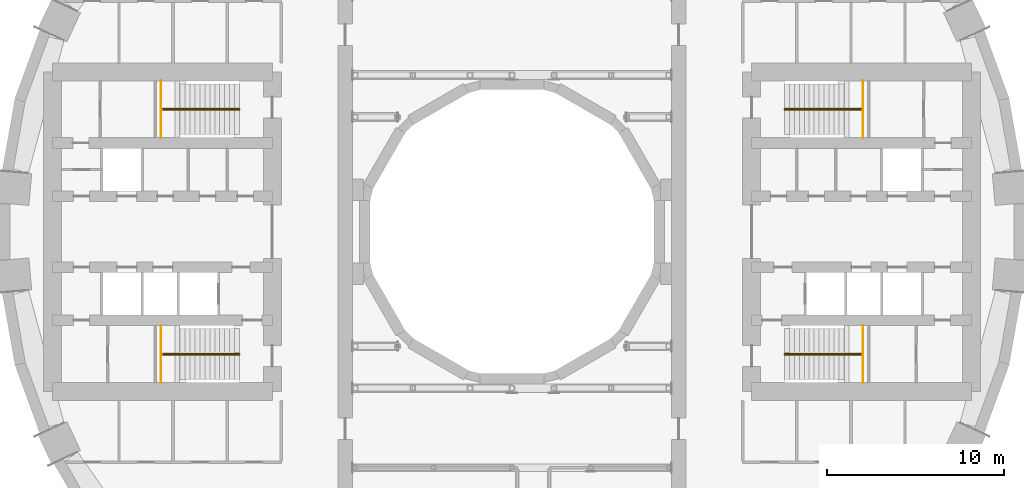
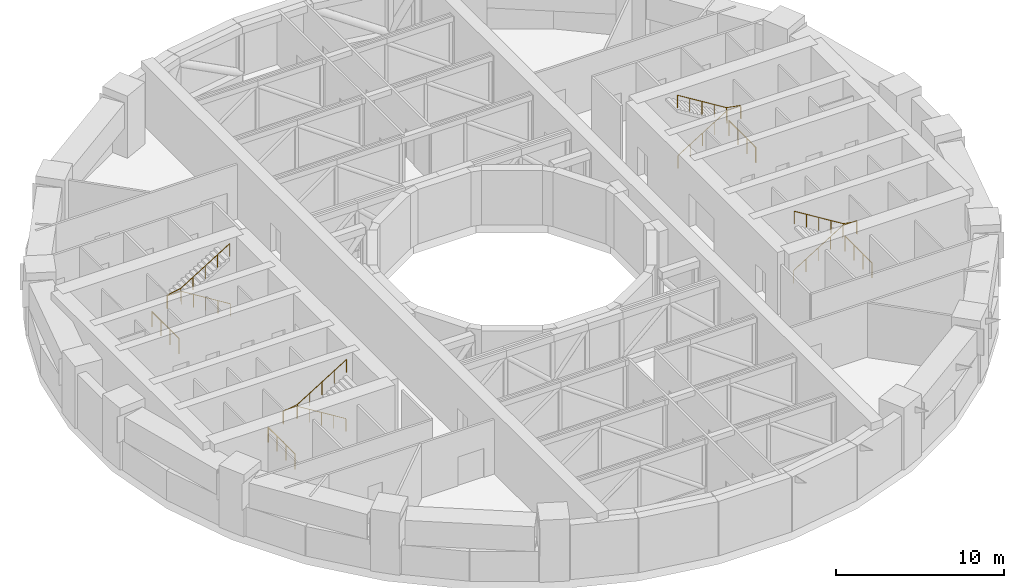
# One storey, part 21 of 21: 8 railings.
"""IFC4 building model written with IfcOpenShell, lengths in metres."""

from ifc_helpers import new_model, si_unit, direction, frame, origin, origin_2d, place, context, subcontext, project, spatial, circle, extrude, material, type_object, element, save


model = new_model("IFC4")

# Units and contexts
model_context = context("Model", 3, precision=1e-05, world=origin(), true_north=direction((0.0, 1.0)))
body_context = subcontext(model_context, "Body", "Model", "MODEL_VIEW")
ifc_project = project(units=[si_unit("LENGTHUNIT", "METRE"), si_unit("AREAUNIT", "SQUARE_METRE"), si_unit("VOLUMEUNIT", "CUBIC_METRE"), si_unit("PLANEANGLEUNIT", "RADIAN"), si_unit("MASSUNIT", "GRAM", prefix="KILO")], contexts=[model_context])

# Site, building, storey
site_placement = place(None, origin())
site = spatial("IfcSite", under=ifc_project, at=site_placement, CompositionType="ELEMENT")
building_placement = place(site_placement, origin())
building = spatial("IfcBuilding", under=site, at=building_placement, Name="Saqina Gate Tower", CompositionType="ELEMENT")
storey_placement = place(building_placement, frame((0.0, 0.0, 21.800048828125)))
storey = spatial("IfcBuildingStorey", under=building, at=storey_placement, Name="L05", CompositionType="ELEMENT", Elevation=21.800048828125)

# Railings
ifc_material_1 = material(Name="Stainless steel", Category="steel")
railing_type_1 = type_object("IfcRailingType", Name="STAIR GUARD", PredefinedType="GUARDRAIL", material=ifc_material_1)
railing_1_placement = place(storey_placement, frame((19.780029296875, 5.300048828125, 0.0)))
element("IfcRailing", 1, at=railing_1_placement, inside=storey, type_object=railing_type_1, Name="STAIR GUARD", PredefinedType="GUARDRAIL", context=body_context, shape_type="SweptSolid", body=[
    extrude(circle(Radius=0.02392578125, at=origin_2d()), frame((0.0, 0.0, 1.076171875), z_axis=(0.0, 1.0, 0.0), x_axis=(-1.0, 0.0, 0.0)), (0.0, 0.0, 1.0), 3.199951171875),
    extrude(circle(Radius=0.02099609375, at=origin_2d()), origin(), (0.0, 0.0, 1.0), 1.052001953125),
    extrude(circle(Radius=0.02099609375, at=origin_2d()), frame((0.0, 1.066650390625, 0.0)), (0.0, 0.0, 1.0), 1.052001953125),
    extrude(circle(Radius=0.02099609375, at=origin_2d()), frame((0.0, 2.13330078125, 0.0)), (0.0, 0.0, 1.0), 1.052001953125),
    extrude(circle(Radius=0.02099609375, at=origin_2d()), frame((0.0, 3.199951171875, 0.0)), (0.0, 0.0, 1.0), 1.052001953125),
])
railing_2_placement = place(storey_placement, frame((19.780029296875, -5.300048828125, 0.0)))
element("IfcRailing", 2, at=railing_2_placement, inside=storey, type_object=railing_type_1, Name="STAIR GUARD", PredefinedType="GUARDRAIL", context=body_context, shape_type="SweptSolid", body=[
    extrude(circle(Radius=0.02392578125, at=origin_2d()), frame((0.0, 0.0, 1.076171875), z_axis=(0.0, -1.0, 0.0), x_axis=(1.0, 0.0, 0.0)), (0.0, 0.0, 1.0), 3.199951171875),
    extrude(circle(Radius=0.02099609375, at=origin_2d()), origin(), (0.0, 0.0, 1.0), 1.052001953125),
    extrude(circle(Radius=0.02099609375, at=origin_2d()), frame((0.0, -1.066650390625, 0.0)), (0.0, 0.0, 1.0), 1.052001953125),
    extrude(circle(Radius=0.02099609375, at=origin_2d()), frame((0.0, -2.13330078125, 0.0)), (0.0, 0.0, 1.0), 1.052001953125),
    extrude(circle(Radius=0.02099609375, at=origin_2d()), frame((0.0, -3.199951171875, 0.0)), (0.0, 0.0, 1.0), 1.052001953125),
])
railing_3_placement = place(storey_placement, frame((-19.780029296875, 5.300048828125, 0.0)))
element("IfcRailing", 3, at=railing_3_placement, inside=storey, type_object=railing_type_1, Name="STAIR GUARD", PredefinedType="GUARDRAIL", context=body_context, shape_type="SweptSolid", body=[
    extrude(circle(Radius=0.02392578125, at=origin_2d()), frame((0.0, 0.0, 1.076171875), z_axis=(0.0, 1.0, 0.0), x_axis=(-1.0, 0.0, 0.0)), (0.0, 0.0, 1.0), 3.199951171875),
    extrude(circle(Radius=0.02099609375, at=origin_2d()), origin(), (0.0, 0.0, 1.0), 1.052001953125),
    extrude(circle(Radius=0.02099609375, at=origin_2d()), frame((0.0, 1.066650390625, 0.0)), (0.0, 0.0, 1.0), 1.052001953125),
    extrude(circle(Radius=0.02099609375, at=origin_2d()), frame((0.0, 2.13330078125, 0.0)), (0.0, 0.0, 1.0), 1.052001953125),
    extrude(circle(Radius=0.02099609375, at=origin_2d()), frame((0.0, 3.199951171875, 0.0)), (0.0, 0.0, 1.0), 1.052001953125),
])
railing_4_placement = place(storey_placement, frame((-19.780029296875, -5.300048828125, 0.0)))
element("IfcRailing", 4, at=railing_4_placement, inside=storey, type_object=railing_type_1, Name="STAIR GUARD", PredefinedType="GUARDRAIL", context=body_context, shape_type="SweptSolid", body=[
    extrude(circle(Radius=0.02392578125, at=origin_2d()), frame((0.0, 0.0, 1.076171875), z_axis=(0.0, -1.0, 0.0), x_axis=(1.0, 0.0, 0.0)), (0.0, 0.0, 1.0), 3.199951171875),
    extrude(circle(Radius=0.02099609375, at=origin_2d()), origin(), (0.0, 0.0, 1.0), 1.052001953125),
    extrude(circle(Radius=0.02099609375, at=origin_2d()), frame((0.0, -1.066650390625, 0.0)), (0.0, 0.0, 1.0), 1.052001953125),
    extrude(circle(Radius=0.02099609375, at=origin_2d()), frame((0.0, -2.13330078125, 0.0)), (0.0, 0.0, 1.0), 1.052001953125),
    extrude(circle(Radius=0.02099609375, at=origin_2d()), frame((0.0, -3.199951171875, 0.0)), (0.0, 0.0, 1.0), 1.052001953125),
])
ifc_material_2 = material(Name="Stainless steel", Category="steel")
railing_type_2 = type_object("IfcRailingType", Name="STAIR HANDRAIL", PredefinedType="HANDRAIL", material=ifc_material_2)
railing_5_placement = place(storey_placement, frame((15.35009765625, 6.86669921875, 0.173095703125)))
element("IfcRailing", 5, at=railing_5_placement, inside=storey, type_object=railing_type_2, Name="EXIT STAIR 1 HANDRAIL", PredefinedType="HANDRAIL", context=body_context, shape_type="SweptSolid", body=[
    extrude(circle(Radius=0.02392578125, at=origin_2d()), frame((0.0, 0.0, 0.92578125), z_axis=(0.850606129759, 0.0, 0.525803396734), x_axis=(0.0, 1.0, 0.0)), (0.0, 0.0, 1.0), 3.949951171875),
    extrude(circle(Radius=0.02392578125, at=origin_2d()), frame((3.35986328125, 0.0, 3.0029296875), z_axis=(1.0, 0.0, 0.0), x_axis=(0.0, 1.0, 0.0)), (0.0, 0.0, 1.0), 0.949951171875),
    extrude(circle(Radius=0.02392578125, at=origin_2d()), frame((4.309814453125, 0.0, 3.0029296875), z_axis=(0.0, 1.0, 0.0), x_axis=(-1.0, 0.0, 0.0)), (0.0, 0.0, 1.0), 0.066650390625),
    extrude(circle(Radius=0.02392578125, at=origin_2d()), frame((4.309814453125, 0.066650390625, 3.0029296875), z_axis=(-0.983801064867, 0.0, 0.17926367386), x_axis=(0.0, -1.0, 0.0)), (0.0, 0.0, 1.0), 0.965576171875),
    extrude(circle(Radius=0.02392578125, at=origin_2d()), frame((3.35986328125, 0.066650390625, 3.17578125), z_axis=(-0.850606129759, 0.0, 0.525803396734), x_axis=(0.0, -1.0, 0.0)), (0.0, 0.0, 1.0), 3.949951171875),
    extrude(circle(Radius=0.02099609375, at=origin_2d()), origin(), (0.0, 0.0, 1.0), 0.90185546875),
    extrude(circle(Radius=0.02099609375, at=origin_2d()), frame((0.83984375, 0.0, 0.519287109375)), (0.0, 0.0, 1.0), 0.90185546875),
    extrude(circle(Radius=0.02099609375, at=origin_2d()), frame((1.679931640625, 0.0, 1.03857421875)), (0.0, 0.0, 1.0), 0.90185546875),
    extrude(circle(Radius=0.02099609375, at=origin_2d()), frame((2.52001953125, 0.0, 1.5576171875)), (0.0, 0.0, 1.0), 0.90185546875),
    extrude(circle(Radius=0.02099609375, at=origin_2d()), frame((3.35986328125, 0.0, 2.076904296875)), (0.0, 0.0, 1.0), 0.90185546875),
    extrude(circle(Radius=0.02099609375, at=origin_2d()), frame((4.309814453125, 0.0, 2.076904296875)), (0.0, 0.0, 1.0), 0.90185546875),
    extrude(circle(Radius=0.02099609375, at=origin_2d()), frame((4.309814453125, 0.066650390625, 2.076904296875)), (0.0, 0.0, 1.0), 0.90185546875),
    extrude(circle(Radius=0.02099609375, at=origin_2d()), frame((3.35986328125, 0.066650390625, 2.25)), (0.0, 0.0, 1.0), 0.90185546875),
    extrude(circle(Radius=0.02099609375, at=origin_2d()), frame((2.52001953125, 0.066650390625, 2.769287109375)), (0.0, 0.0, 1.0), 0.90185546875),
    extrude(circle(Radius=0.02099609375, at=origin_2d()), frame((1.679931640625, 0.066650390625, 3.28857421875)), (0.0, 0.0, 1.0), 0.90185546875),
    extrude(circle(Radius=0.02099609375, at=origin_2d()), frame((0.83984375, 0.066650390625, 3.8076171875)), (0.0, 0.0, 1.0), 0.90185546875),
    extrude(circle(Radius=0.02099609375, at=origin_2d()), frame((0.0, 0.066650390625, 4.326904296875)), (0.0, 0.0, 1.0), 0.90185546875),
])
railing_6_placement = place(storey_placement, frame((15.35009765625, -6.86669921875, 0.173095703125)))
element("IfcRailing", 6, at=railing_6_placement, inside=storey, type_object=railing_type_2, Name="EXIT STAIR 2 HANDRAIL", PredefinedType="HANDRAIL", context=body_context, shape_type="SweptSolid", body=[
    extrude(circle(Radius=0.02392578125, at=origin_2d()), frame((0.0, 0.0, 0.92578125), z_axis=(0.850606129759, 0.0, 0.525803396734), x_axis=(0.0, 1.0, 0.0)), (0.0, 0.0, 1.0), 3.949951171875),
    extrude(circle(Radius=0.02392578125, at=origin_2d()), frame((3.35986328125, 0.0, 3.0029296875), z_axis=(1.0, 0.0, 0.0), x_axis=(0.0, 1.0, 0.0)), (0.0, 0.0, 1.0), 0.949951171875),
    extrude(circle(Radius=0.02392578125, at=origin_2d()), frame((4.309814453125, 0.0, 3.0029296875), z_axis=(0.0, -1.0, 0.0), x_axis=(1.0, 0.0, 0.0)), (0.0, 0.0, 1.0), 0.066650390625),
    extrude(circle(Radius=0.02392578125, at=origin_2d()), frame((4.309814453125, -0.066650390625, 3.0029296875), z_axis=(-0.983801064867, 0.0, 0.17926367386), x_axis=(0.0, -1.0, 0.0)), (0.0, 0.0, 1.0), 0.965576171875),
    extrude(circle(Radius=0.02392578125, at=origin_2d()), frame((3.35986328125, -0.066650390625, 3.17578125), z_axis=(-0.850606129759, 0.0, 0.525803396734), x_axis=(0.0, -1.0, 0.0)), (0.0, 0.0, 1.0), 3.949951171875),
    extrude(circle(Radius=0.02099609375, at=origin_2d()), origin(), (0.0, 0.0, 1.0), 0.90185546875),
    extrude(circle(Radius=0.02099609375, at=origin_2d()), frame((0.83984375, 0.0, 0.519287109375)), (0.0, 0.0, 1.0), 0.90185546875),
    extrude(circle(Radius=0.02099609375, at=origin_2d()), frame((1.679931640625, 0.0, 1.03857421875)), (0.0, 0.0, 1.0), 0.90185546875),
    extrude(circle(Radius=0.02099609375, at=origin_2d()), frame((2.52001953125, 0.0, 1.5576171875)), (0.0, 0.0, 1.0), 0.90185546875),
    extrude(circle(Radius=0.02099609375, at=origin_2d()), frame((3.35986328125, 0.0, 2.076904296875)), (0.0, 0.0, 1.0), 0.90185546875),
    extrude(circle(Radius=0.02099609375, at=origin_2d()), frame((4.309814453125, 0.0, 2.076904296875)), (0.0, 0.0, 1.0), 0.90185546875),
    extrude(circle(Radius=0.02099609375, at=origin_2d()), frame((4.309814453125, -0.066650390625, 2.076904296875)), (0.0, 0.0, 1.0), 0.90185546875),
    extrude(circle(Radius=0.02099609375, at=origin_2d()), frame((3.35986328125, -0.066650390625, 2.25)), (0.0, 0.0, 1.0), 0.90185546875),
    extrude(circle(Radius=0.02099609375, at=origin_2d()), frame((2.52001953125, -0.066650390625, 2.769287109375)), (0.0, 0.0, 1.0), 0.90185546875),
    extrude(circle(Radius=0.02099609375, at=origin_2d()), frame((1.679931640625, -0.066650390625, 3.28857421875)), (0.0, 0.0, 1.0), 0.90185546875),
    extrude(circle(Radius=0.02099609375, at=origin_2d()), frame((0.83984375, -0.066650390625, 3.8076171875)), (0.0, 0.0, 1.0), 0.90185546875),
    extrude(circle(Radius=0.02099609375, at=origin_2d()), frame((0.0, -0.066650390625, 4.326904296875)), (0.0, 0.0, 1.0), 0.90185546875),
])
railing_7_placement = place(storey_placement, frame((-15.35009765625, 6.86669921875, 0.173095703125)))
element("IfcRailing", 7, at=railing_7_placement, inside=storey, type_object=railing_type_2, Name="EXIT STAIR 3 HANDRAIL", PredefinedType="HANDRAIL", context=body_context, shape_type="SweptSolid", body=[
    extrude(circle(Radius=0.02392578125, at=origin_2d()), frame((0.0, 0.0, 0.92578125), z_axis=(-0.850606129759, 0.0, 0.525803396734), x_axis=(0.0, -1.0, 0.0)), (0.0, 0.0, 1.0), 3.949951171875),
    extrude(circle(Radius=0.02392578125, at=origin_2d()), frame((-3.35986328125, 0.0, 3.0029296875), z_axis=(-1.0, 0.0, 0.0), x_axis=(0.0, -1.0, 0.0)), (0.0, 0.0, 1.0), 0.949951171875),
    extrude(circle(Radius=0.02392578125, at=origin_2d()), frame((-4.309814453125, 0.0, 3.0029296875), z_axis=(0.0, 1.0, 0.0), x_axis=(-1.0, 0.0, 0.0)), (0.0, 0.0, 1.0), 0.066650390625),
    extrude(circle(Radius=0.02392578125, at=origin_2d()), frame((-4.309814453125, 0.066650390625, 3.0029296875), z_axis=(0.983801064867, 0.0, 0.17926367386), x_axis=(0.0, 1.0, 0.0)), (0.0, 0.0, 1.0), 0.965576171875),
    extrude(circle(Radius=0.02392578125, at=origin_2d()), frame((-3.35986328125, 0.066650390625, 3.17578125), z_axis=(0.850606129759, 0.0, 0.525803396734), x_axis=(0.0, 1.0, 0.0)), (0.0, 0.0, 1.0), 3.949951171875),
    extrude(circle(Radius=0.02099609375, at=origin_2d()), origin(), (0.0, 0.0, 1.0), 0.90185546875),
    extrude(circle(Radius=0.02099609375, at=origin_2d()), frame((-0.83984375, 0.0, 0.519287109375)), (0.0, 0.0, 1.0), 0.90185546875),
    extrude(circle(Radius=0.02099609375, at=origin_2d()), frame((-1.679931640625, 0.0, 1.03857421875)), (0.0, 0.0, 1.0), 0.90185546875),
    extrude(circle(Radius=0.02099609375, at=origin_2d()), frame((-2.52001953125, 0.0, 1.5576171875)), (0.0, 0.0, 1.0), 0.90185546875),
    extrude(circle(Radius=0.02099609375, at=origin_2d()), frame((-3.35986328125, 0.0, 2.076904296875)), (0.0, 0.0, 1.0), 0.90185546875),
    extrude(circle(Radius=0.02099609375, at=origin_2d()), frame((-4.309814453125, 0.0, 2.076904296875)), (0.0, 0.0, 1.0), 0.90185546875),
    extrude(circle(Radius=0.02099609375, at=origin_2d()), frame((-4.309814453125, 0.066650390625, 2.076904296875)), (0.0, 0.0, 1.0), 0.90185546875),
    extrude(circle(Radius=0.02099609375, at=origin_2d()), frame((-3.35986328125, 0.066650390625, 2.25)), (0.0, 0.0, 1.0), 0.90185546875),
    extrude(circle(Radius=0.02099609375, at=origin_2d()), frame((-2.52001953125, 0.066650390625, 2.769287109375)), (0.0, 0.0, 1.0), 0.90185546875),
    extrude(circle(Radius=0.02099609375, at=origin_2d()), frame((-1.679931640625, 0.066650390625, 3.28857421875)), (0.0, 0.0, 1.0), 0.90185546875),
    extrude(circle(Radius=0.02099609375, at=origin_2d()), frame((-0.83984375, 0.066650390625, 3.8076171875)), (0.0, 0.0, 1.0), 0.90185546875),
    extrude(circle(Radius=0.02099609375, at=origin_2d()), frame((0.0, 0.066650390625, 4.326904296875)), (0.0, 0.0, 1.0), 0.90185546875),
])
railing_8_placement = place(storey_placement, frame((-15.35009765625, -6.86669921875, 0.173095703125)))
element("IfcRailing", 8, at=railing_8_placement, inside=storey, type_object=railing_type_2, Name="EXIT STAIR 4 HANDRAIL", PredefinedType="HANDRAIL", context=body_context, shape_type="SweptSolid", body=[
    extrude(circle(Radius=0.02392578125, at=origin_2d()), frame((0.0, 0.0, 0.92578125), z_axis=(-0.850606129759, 0.0, 0.525803396734), x_axis=(0.0, -1.0, 0.0)), (0.0, 0.0, 1.0), 3.949951171875),
    extrude(circle(Radius=0.02392578125, at=origin_2d()), frame((-3.35986328125, 0.0, 3.0029296875), z_axis=(-1.0, 0.0, 0.0), x_axis=(0.0, -1.0, 0.0)), (0.0, 0.0, 1.0), 0.949951171875),
    extrude(circle(Radius=0.02392578125, at=origin_2d()), frame((-4.309814453125, 0.0, 3.0029296875), z_axis=(0.0, -1.0, 0.0), x_axis=(1.0, 0.0, 0.0)), (0.0, 0.0, 1.0), 0.066650390625),
    extrude(circle(Radius=0.02392578125, at=origin_2d()), frame((-4.309814453125, -0.066650390625, 3.0029296875), z_axis=(0.983801064867, 0.0, 0.17926367386), x_axis=(0.0, 1.0, 0.0)), (0.0, 0.0, 1.0), 0.965576171875),
    extrude(circle(Radius=0.02392578125, at=origin_2d()), frame((-3.35986328125, -0.066650390625, 3.17578125), z_axis=(0.850606129759, 0.0, 0.525803396734), x_axis=(0.0, 1.0, 0.0)), (0.0, 0.0, 1.0), 3.949951171875),
    extrude(circle(Radius=0.02099609375, at=origin_2d()), origin(), (0.0, 0.0, 1.0), 0.90185546875),
    extrude(circle(Radius=0.02099609375, at=origin_2d()), frame((-0.83984375, 0.0, 0.519287109375)), (0.0, 0.0, 1.0), 0.90185546875),
    extrude(circle(Radius=0.02099609375, at=origin_2d()), frame((-1.679931640625, 0.0, 1.03857421875)), (0.0, 0.0, 1.0), 0.90185546875),
    extrude(circle(Radius=0.02099609375, at=origin_2d()), frame((-2.52001953125, 0.0, 1.5576171875)), (0.0, 0.0, 1.0), 0.90185546875),
    extrude(circle(Radius=0.02099609375, at=origin_2d()), frame((-3.35986328125, 0.0, 2.076904296875)), (0.0, 0.0, 1.0), 0.90185546875),
    extrude(circle(Radius=0.02099609375, at=origin_2d()), frame((-4.309814453125, 0.0, 2.076904296875)), (0.0, 0.0, 1.0), 0.90185546875),
    extrude(circle(Radius=0.02099609375, at=origin_2d()), frame((-4.309814453125, -0.066650390625, 2.076904296875)), (0.0, 0.0, 1.0), 0.90185546875),
    extrude(circle(Radius=0.02099609375, at=origin_2d()), frame((-3.35986328125, -0.066650390625, 2.25)), (0.0, 0.0, 1.0), 0.90185546875),
    extrude(circle(Radius=0.02099609375, at=origin_2d()), frame((-2.52001953125, -0.066650390625, 2.769287109375)), (0.0, 0.0, 1.0), 0.90185546875),
    extrude(circle(Radius=0.02099609375, at=origin_2d()), frame((-1.679931640625, -0.066650390625, 3.28857421875)), (0.0, 0.0, 1.0), 0.90185546875),
    extrude(circle(Radius=0.02099609375, at=origin_2d()), frame((-0.83984375, -0.066650390625, 3.8076171875)), (0.0, 0.0, 1.0), 0.90185546875),
    extrude(circle(Radius=0.02099609375, at=origin_2d()), frame((0.0, -0.066650390625, 4.326904296875)), (0.0, 0.0, 1.0), 0.90185546875),
])

save(model, "model.ifc")
